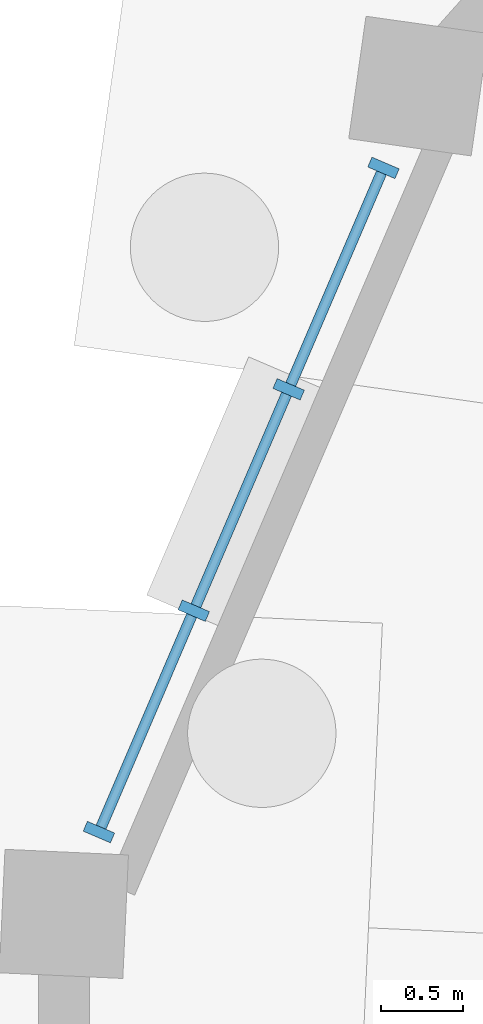
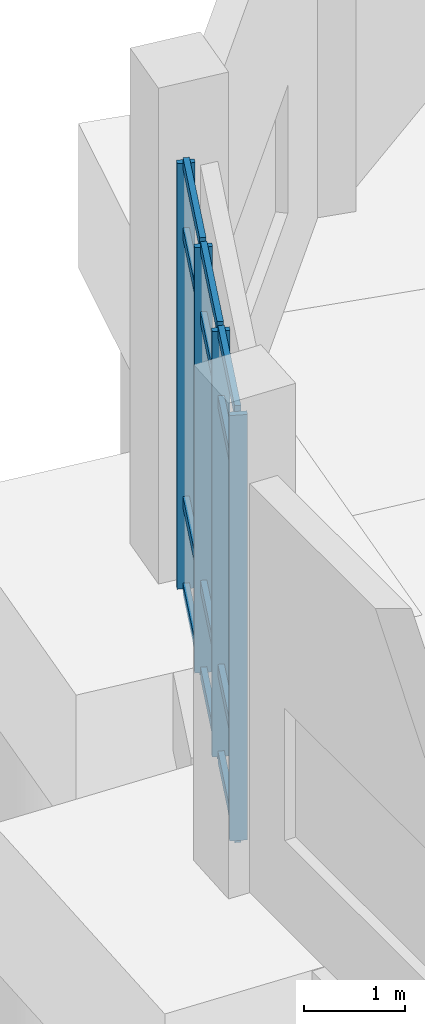
# One storey, part 35 of 140: 16 members, 1 element without a shape of its own.
"""IFC4 building model written with IfcOpenShell, lengths in metres."""

from ifc_helpers import new_model, si_unit, direction, frame, origin, origin_2d, place, context, subcontext, project, spatial, rectangle, extrude, material, layer, layer_set, material_profile, profile_set, type_object, element, aggregate, save


model = new_model("IFC4")

# Units and contexts
model_context = context("Model", 3, precision=1e-05, world=origin(), true_north=direction((0.0, 1.0)))
body_context = subcontext(model_context, "Body", "Model", "MODEL_VIEW")
ifc_project = project(units=[si_unit("LENGTHUNIT", "METRE"), si_unit("AREAUNIT", "SQUARE_METRE"), si_unit("VOLUMEUNIT", "CUBIC_METRE"), si_unit("PLANEANGLEUNIT", "RADIAN"), si_unit("MASSUNIT", "GRAM", prefix="KILO")], contexts=[model_context])

# Site, building, storey
site_placement = place(None, origin())
site = spatial("IfcSite", under=ifc_project, at=site_placement, CompositionType="ELEMENT")
building_placement = place(site_placement, origin())
building = spatial("IfcBuilding", under=site, at=building_placement, Name="Corvandel Quay Wholesale Market", CompositionType="ELEMENT")
storey_placement = place(building_placement, origin())
storey = spatial("IfcBuildingStorey", under=building, at=storey_placement, Name="L00", CompositionType="ELEMENT", Elevation=0.0)

# Curtain wall, members
ifc_material_1 = material(Name="Bronze anodised aluminium and low-E insulated glazing", Category="aluminium")
ifc_layer = layer(ifc_material_1, 0.174072265625)
ifc_layer_set = layer_set([ifc_layer], Name="Bronze anodised aluminium and low-E insulated glazing")
curtain_wall_type = type_object("IfcCurtainWallType", Name="Stick Curtain Wall System CW17 H4530", PredefinedType="NOTDEFINED", material=ifc_layer_set)
curtain_wall_placement = place(storey_placement, origin())
curtain_wall = element("IfcCurtainWall", 1, at=curtain_wall_placement, inside=storey, type_object=curtain_wall_type, Name="Curtain Wall CW-0103", PredefinedType="NOTDEFINED")
ifc_material_2 = material(Name="Anodised aluminium 6063-T6", Category="aluminium")
ifc_material_profile_1 = material_profile(ifc_material_2, rectangle(XDim=0.06494140625, YDim=0.179931640625, at=origin_2d()), Name="ALU-MUL-65x180")
ifc_profile_set_1 = profile_set([ifc_material_profile_1], Name="Anodised aluminium 6063-T6")
member_type_1 = type_object("IfcMemberType", Name="Curtain Wall Mullion ML01 65x180", PredefinedType="MULLION", material=ifc_profile_set_1)
member_1_placement = place(storey_placement, frame((59.939208984375, 123.087646484375, 0.0), z_axis=(0.0, 0.0, 1.0), x_axis=(0.393781484212, 0.919204081089, 0.0)))
member_1 = element("IfcMember", 2, at=member_1_placement, type_object=member_type_1, Name="Mullion CW-0103-M00", PredefinedType="MULLION", context=body_context, shape_type="SweptSolid", body=[
    extrude(rectangle(XDim=0.06494140625, YDim=0.179931640625, at=origin_2d()), origin(), (0.0, 0.0, 1.0), 5.14990234375),
])
member_2_placement = place(storey_placement, frame((59.36376953125, 121.744140625, 0.0), z_axis=(0.0, 0.0, 1.0), x_axis=(0.393781484212, 0.919204081089, 0.0)))
member_2 = element("IfcMember", 3, at=member_2_placement, type_object=member_type_1, Name="Mullion CW-0103-M01", PredefinedType="MULLION", context=body_context, shape_type="SweptSolid", body=[
    extrude(rectangle(XDim=0.06494140625, YDim=0.179931640625, at=origin_2d()), origin(), (0.0, 0.0, 1.0), 5.14990234375),
])
member_3_placement = place(storey_placement, frame((58.7880859375, 120.40087890625, 0.0), z_axis=(0.0, 0.0, 1.0), x_axis=(0.393781484212, 0.919204081089, 0.0)))
member_3 = element("IfcMember", 4, at=member_3_placement, type_object=member_type_1, Name="Mullion CW-0103-M02", PredefinedType="MULLION", context=body_context, shape_type="SweptSolid", body=[
    extrude(rectangle(XDim=0.06494140625, YDim=0.179931640625, at=origin_2d()), origin(), (0.0, 0.0, 1.0), 5.14990234375),
])
member_4_placement = place(storey_placement, frame((58.212646484375, 119.057373046875, 0.0), z_axis=(0.0, 0.0, 1.0), x_axis=(0.393781484212, 0.919204081089, 0.0)))
member_4 = element("IfcMember", 5, at=member_4_placement, type_object=member_type_1, Name="Mullion CW-0103-M03", PredefinedType="MULLION", context=body_context, shape_type="SweptSolid", body=[
    extrude(rectangle(XDim=0.06494140625, YDim=0.179931640625, at=origin_2d()), origin(), (0.0, 0.0, 1.0), 5.14990234375),
])
ifc_material_profile_2 = material_profile(ifc_material_2, rectangle(XDim=0.06494140625, YDim=0.139892578125, at=origin_2d()), Name="ALU-TRN-65x140")
ifc_profile_set_2 = profile_set([ifc_material_profile_2], Name="Anodised aluminium 6063-T6")
member_type_2 = type_object("IfcMemberType", Name="Curtain Wall Transom TR01 65x140", PredefinedType="USERDEFINED", material=ifc_profile_set_2)
member_5_placement = place(storey_placement, frame((59.926513671875, 123.0576171875, 0.0), z_axis=(-0.393771571872, -0.919208327413, 0.0), x_axis=(0.919208327413, -0.393771571872, 0.0)))
member_5 = element("IfcMember", 6, at=member_5_placement, type_object=member_type_2, Name="Transom CW-0103-T00-0", ObjectType="TRANSOM", PredefinedType="USERDEFINED", context=body_context, shape_type="SweptSolid", body=[
    extrude(rectangle(XDim=0.06494140625, YDim=0.139892578125, at=origin_2d()), origin(), (0.0, 0.0, 1.0), 1.396240234375),
])
member_6_placement = place(storey_placement, frame((59.926513671875, 123.0576171875, 1.050048828125), z_axis=(-0.393771571872, -0.919208327413, 0.0), x_axis=(0.919208327413, -0.393771571872, 0.0)))
member_6 = element("IfcMember", 7, at=member_6_placement, type_object=member_type_2, Name="Transom CW-0103-T00-1", ObjectType="TRANSOM", PredefinedType="USERDEFINED", context=body_context, shape_type="SweptSolid", body=[
    extrude(rectangle(XDim=0.06494140625, YDim=0.139892578125, at=origin_2d()), origin(), (0.0, 0.0, 1.0), 1.396240234375),
])
member_7_placement = place(storey_placement, frame((59.926513671875, 123.0576171875, 4.300048828125), z_axis=(-0.393771571872, -0.919208327413, 0.0), x_axis=(0.919208327413, -0.393771571872, 0.0)))
member_7 = element("IfcMember", 8, at=member_7_placement, type_object=member_type_2, Name="Transom CW-0103-T00-2", ObjectType="TRANSOM", PredefinedType="USERDEFINED", context=body_context, shape_type="SweptSolid", body=[
    extrude(rectangle(XDim=0.06494140625, YDim=0.139892578125, at=origin_2d()), origin(), (0.0, 0.0, 1.0), 1.396240234375),
])
member_8_placement = place(storey_placement, frame((59.926513671875, 123.0576171875, 5.14990234375), z_axis=(-0.393771571872, -0.919208327413, 0.0), x_axis=(0.919208327413, -0.393771571872, 0.0)))
member_8 = element("IfcMember", 9, at=member_8_placement, type_object=member_type_2, Name="Transom CW-0103-T00-3", ObjectType="TRANSOM", PredefinedType="USERDEFINED", context=body_context, shape_type="SweptSolid", body=[
    extrude(rectangle(XDim=0.06494140625, YDim=0.139892578125, at=origin_2d()), origin(), (0.0, 0.0, 1.0), 1.396240234375),
])
member_9_placement = place(storey_placement, frame((59.35107421875, 121.71435546875, 0.0), z_axis=(-0.393856002911, -0.919172154153, 0.0), x_axis=(0.919172154153, -0.393856002911, 0.0)))
member_9 = element("IfcMember", 10, at=member_9_placement, type_object=member_type_2, Name="Transom CW-0103-T01-0", ObjectType="TRANSOM", PredefinedType="USERDEFINED", context=body_context, shape_type="SweptSolid", body=[
    extrude(rectangle(XDim=0.06494140625, YDim=0.139892578125, at=origin_2d()), origin(), (0.0, 0.0, 1.0), 1.396484375),
])
member_10_placement = place(storey_placement, frame((59.35107421875, 121.71435546875, 1.050048828125), z_axis=(-0.393856002911, -0.919172154153, 0.0), x_axis=(0.919172154153, -0.393856002911, 0.0)))
member_10 = element("IfcMember", 11, at=member_10_placement, type_object=member_type_2, Name="Transom CW-0103-T01-1", ObjectType="TRANSOM", PredefinedType="USERDEFINED", context=body_context, shape_type="SweptSolid", body=[
    extrude(rectangle(XDim=0.06494140625, YDim=0.139892578125, at=origin_2d()), origin(), (0.0, 0.0, 1.0), 1.396484375),
])
member_11_placement = place(storey_placement, frame((59.35107421875, 121.71435546875, 4.300048828125), z_axis=(-0.393856002911, -0.919172154153, 0.0), x_axis=(0.919172154153, -0.393856002911, 0.0)))
member_11 = element("IfcMember", 12, at=member_11_placement, type_object=member_type_2, Name="Transom CW-0103-T01-2", ObjectType="TRANSOM", PredefinedType="USERDEFINED", context=body_context, shape_type="SweptSolid", body=[
    extrude(rectangle(XDim=0.06494140625, YDim=0.139892578125, at=origin_2d()), origin(), (0.0, 0.0, 1.0), 1.396484375),
])
member_12_placement = place(storey_placement, frame((59.35107421875, 121.71435546875, 5.14990234375), z_axis=(-0.393856002911, -0.919172154153, 0.0), x_axis=(0.919172154153, -0.393856002911, 0.0)))
member_12 = element("IfcMember", 13, at=member_12_placement, type_object=member_type_2, Name="Transom CW-0103-T01-3", ObjectType="TRANSOM", PredefinedType="USERDEFINED", context=body_context, shape_type="SweptSolid", body=[
    extrude(rectangle(XDim=0.06494140625, YDim=0.139892578125, at=origin_2d()), origin(), (0.0, 0.0, 1.0), 1.396484375),
])
member_13_placement = place(storey_placement, frame((58.775390625, 120.370849609375, 0.0), z_axis=(-0.393771571872, -0.919208327413, 0.0), x_axis=(0.919208327413, -0.393771571872, 0.0)))
member_13 = element("IfcMember", 14, at=member_13_placement, type_object=member_type_2, Name="Transom CW-0103-T02-0", ObjectType="TRANSOM", PredefinedType="USERDEFINED", context=body_context, shape_type="SweptSolid", body=[
    extrude(rectangle(XDim=0.06494140625, YDim=0.139892578125, at=origin_2d()), origin(), (0.0, 0.0, 1.0), 1.396240234375),
])
member_14_placement = place(storey_placement, frame((58.775390625, 120.370849609375, 1.050048828125), z_axis=(-0.393771571872, -0.919208327413, 0.0), x_axis=(0.919208327413, -0.393771571872, 0.0)))
member_14 = element("IfcMember", 15, at=member_14_placement, type_object=member_type_2, Name="Transom CW-0103-T02-1", ObjectType="TRANSOM", PredefinedType="USERDEFINED", context=body_context, shape_type="SweptSolid", body=[
    extrude(rectangle(XDim=0.06494140625, YDim=0.139892578125, at=origin_2d()), origin(), (0.0, 0.0, 1.0), 1.396240234375),
])
member_15_placement = place(storey_placement, frame((58.775390625, 120.370849609375, 4.300048828125), z_axis=(-0.393771571872, -0.919208327413, 0.0), x_axis=(0.919208327413, -0.393771571872, 0.0)))
member_15 = element("IfcMember", 16, at=member_15_placement, type_object=member_type_2, Name="Transom CW-0103-T02-2", ObjectType="TRANSOM", PredefinedType="USERDEFINED", context=body_context, shape_type="SweptSolid", body=[
    extrude(rectangle(XDim=0.06494140625, YDim=0.139892578125, at=origin_2d()), origin(), (0.0, 0.0, 1.0), 1.396240234375),
])
member_16_placement = place(storey_placement, frame((58.775390625, 120.370849609375, 5.14990234375), z_axis=(-0.393771571872, -0.919208327413, 0.0), x_axis=(0.919208327413, -0.393771571872, 0.0)))
member_16 = element("IfcMember", 17, at=member_16_placement, type_object=member_type_2, Name="Transom CW-0103-T02-3", ObjectType="TRANSOM", PredefinedType="USERDEFINED", context=body_context, shape_type="SweptSolid", body=[
    extrude(rectangle(XDim=0.06494140625, YDim=0.139892578125, at=origin_2d()), origin(), (0.0, 0.0, 1.0), 1.396240234375),
])
aggregate(curtain_wall, [member_1, member_2, member_3, member_4, member_5, member_6, member_7, member_8, member_9, member_10, member_11, member_12, member_13, member_14, member_15, member_16])

save(model, "model.ifc")
